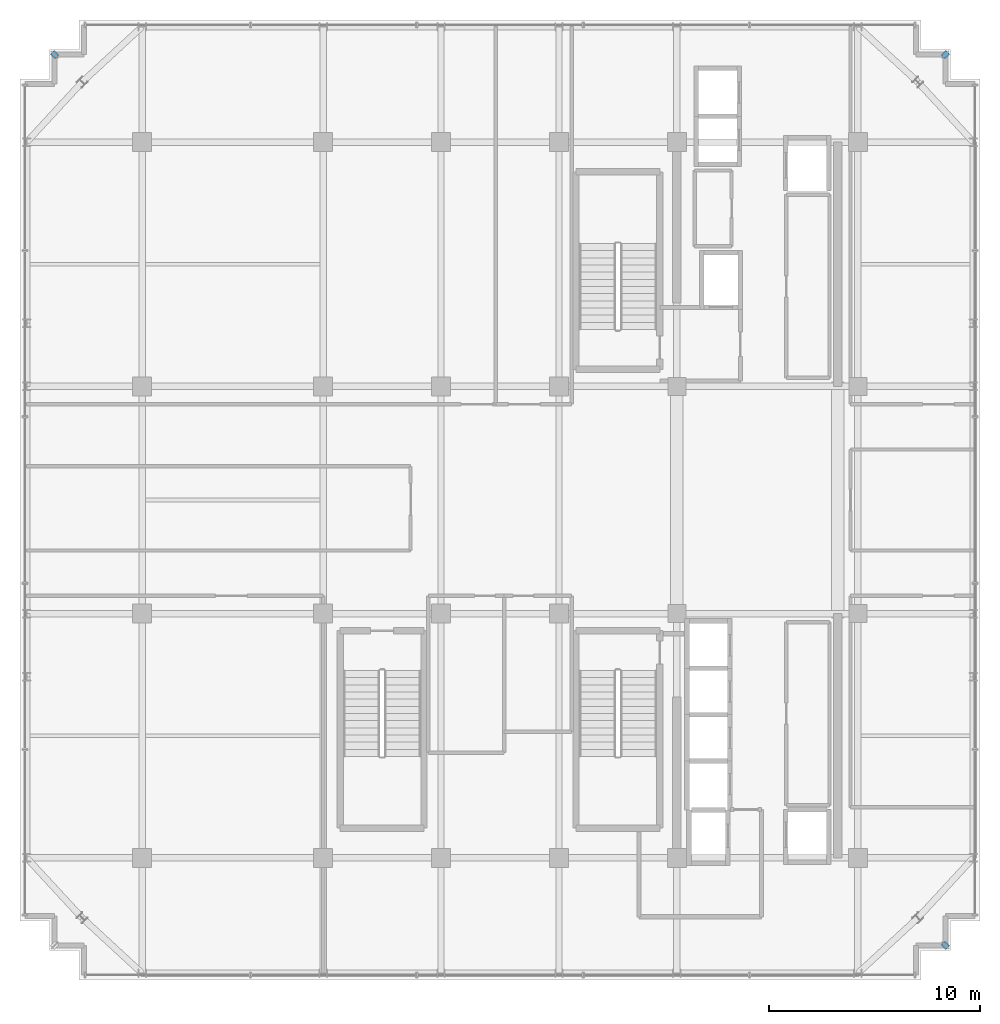
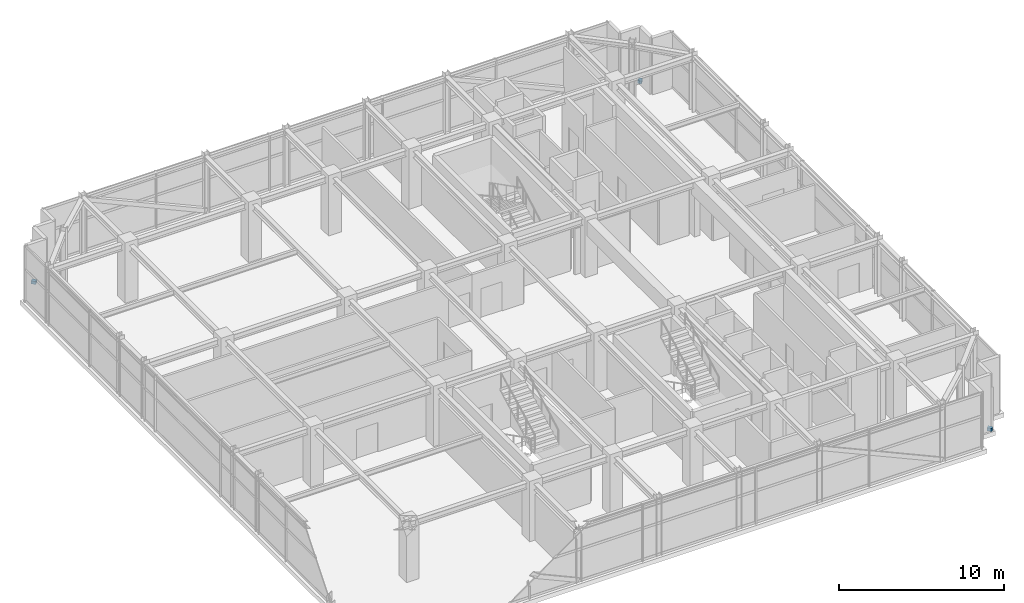
# One storey, part 25 of 26: 3 discrete accessories.
"""IFC4 building model written with IfcOpenShell, lengths in metres."""

from ifc_helpers import new_model, si_unit, direction, frame, origin, origin_2d, place, context, subcontext, project, spatial, rectangle, extrude, source, transform, mapped, material, type_object, element, save


model = new_model("IFC4")

# Units and contexts
model_context = context("Model", 3, precision=1e-05, world=origin(), true_north=direction((0.0, 1.0)))
body_context = subcontext(model_context, "Body", "Model", "MODEL_VIEW")
ifc_project = project(units=[si_unit("LENGTHUNIT", "METRE"), si_unit("AREAUNIT", "SQUARE_METRE"), si_unit("VOLUMEUNIT", "CUBIC_METRE"), si_unit("PLANEANGLEUNIT", "RADIAN"), si_unit("MASSUNIT", "GRAM", prefix="KILO")], contexts=[model_context])

# Site, building, storey
site_placement = place(None, origin())
site = spatial("IfcSite", under=ifc_project, at=site_placement, CompositionType="ELEMENT")
building_placement = place(site_placement, origin())
building = spatial("IfcBuilding", under=site, at=building_placement, Name="Nahalor Promenade Grand Hotel", CompositionType="ELEMENT")
storey_placement = place(building_placement, frame((0.0, 0.0, 343.050048828125)))
storey = spatial("IfcBuildingStorey", under=building, at=storey_placement, Name="L88", CompositionType="ELEMENT", Elevation=343.050048828125)

# Discrete accessories
ifc_material = material(Name="Steel S355JR", Category="steel")
discrete_accessory_type = type_object("IfcDiscreteAccessoryType", Name="Bracket-FacadeCleat-Bronze", PredefinedType="BRACKET", material=ifc_material)
shared_shape = source(origin(), body_context, "Body", "SweptSolid", [
    extrude(rectangle(XDim=0.300048828125, YDim=0.239990234375, at=origin_2d()), origin(), (0.0, 0.0, 1.0), 0.219970703125),
])
for number, where, z_axis, x_axis, name in (
    (1, (21.159912109375, -21.159912109375, 0.0), (0.0, 0.0, 1.0), (-0.707106781187, 0.707106781187, 0.0), "BK-L88-SE"),
    (2, (21.159912109375, 21.159912109375, 0.0), (0.0, 0.0, 1.0), (0.707106781187, 0.707106781187, 0.0), "BK-L88-NE"),
    (3, (-21.159912109375, 21.159912109375, 0.0), (0.0, 0.0, 1.0), (-0.707106781187, 0.707106781187, 0.0), "BK-L88-NW"),
):
    element("IfcDiscreteAccessory", number, at=place(storey_placement, frame(where, z_axis=z_axis, x_axis=x_axis)), inside=storey, type_object=discrete_accessory_type, Name=name, PredefinedType="BRACKET", context=body_context, shape_type="MappedRepresentation", body=[
        mapped(shared_shape, transform((0.0, 0.0, 0.0), scale=1.0)),
    ])

save(model, "model.ifc")
